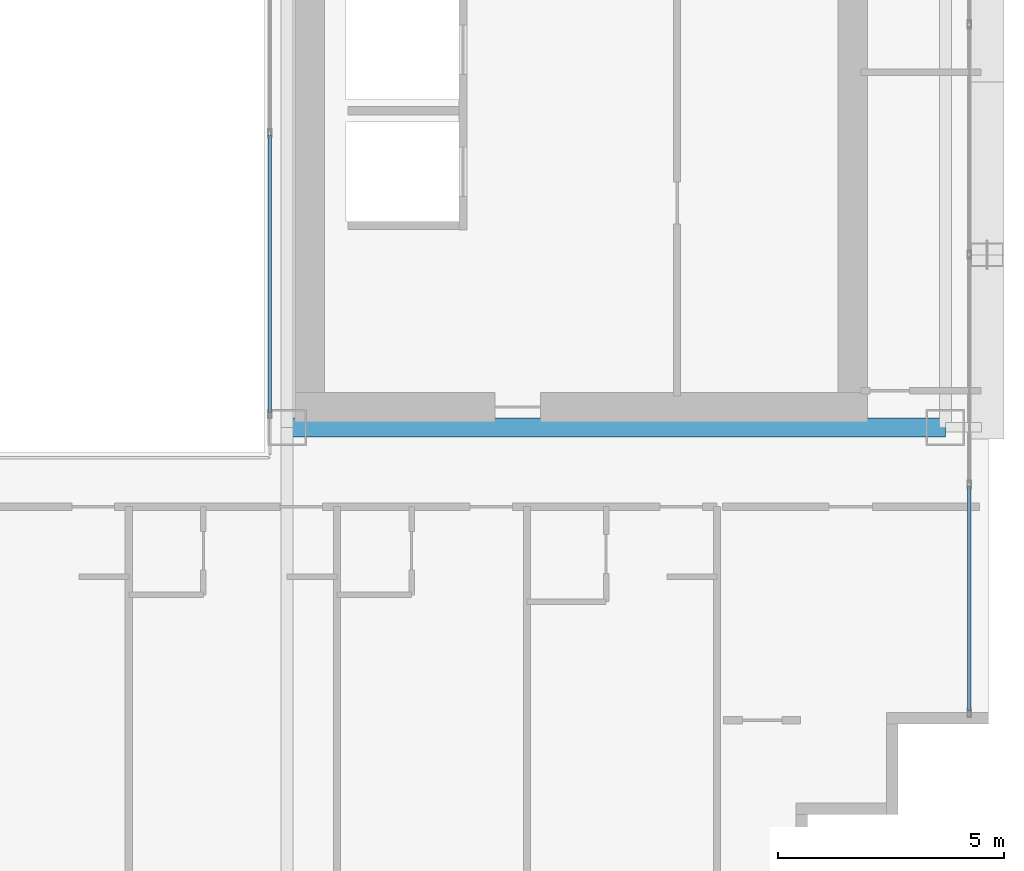
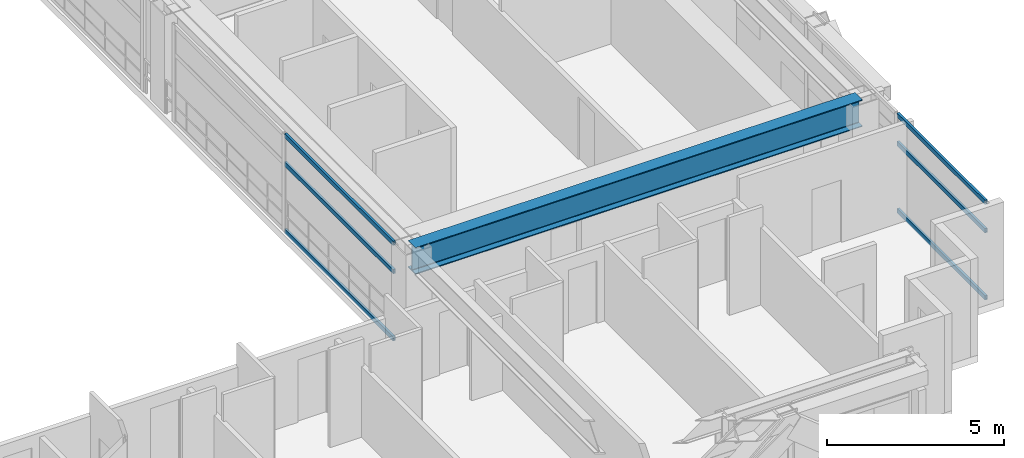
# One storey, part 13 of 39: 6 members, 1 beam, 2 elements without a shape of their own.
"""IFC4 building model written with IfcOpenShell, lengths in metres."""

from ifc_helpers import new_model, si_unit, direction, frame, origin, origin_2d, place, context, subcontext, project, spatial, hollow_rectangle, i_section, extrude, source, transform, mapped, material, layer, layer_set, material_profile, profile_set, type_object, element, aggregate, save


model = new_model("IFC4")

# Units and contexts
model_context = context("Model", 3, precision=1e-05, world=origin(), true_north=direction((0.0, 1.0)))
body_context = subcontext(model_context, "Body", "Model", "MODEL_VIEW")
ifc_project = project(units=[si_unit("LENGTHUNIT", "METRE"), si_unit("AREAUNIT", "SQUARE_METRE"), si_unit("VOLUMEUNIT", "CUBIC_METRE"), si_unit("PLANEANGLEUNIT", "RADIAN"), si_unit("MASSUNIT", "GRAM", prefix="KILO")], contexts=[model_context])

# Site, building, storey
site_placement = place(None, origin())
site = spatial("IfcSite", under=ifc_project, at=site_placement, CompositionType="ELEMENT")
building_placement = place(site_placement, origin())
building = spatial("IfcBuilding", under=site, at=building_placement, Name="Ocotamira Hotel", CompositionType="ELEMENT")
storey_placement = place(building_placement, frame((0.0, 0.0, 104.39990234375)))
storey = spatial("IfcBuildingStorey", under=building, at=storey_placement, Name="L25", CompositionType="ELEMENT", Elevation=104.39990234375)

# Beam
ifc_material_1 = material(Name="Steel ASTM A992 Grade 50", Category="steel")
ifc_material_profile_1 = material_profile(ifc_material_1, i_section(OverallWidth=0.41796875, OverallDepth=0.927001953125, WebThickness=0.019287109375, FlangeThickness=0.031982421875, FilletRadius=0.02392578125, at=origin_2d()), Name="W36X231")
ifc_profile_set_1 = profile_set([ifc_material_profile_1], Name="Steel ASTM A992 Grade 50")
beam_type = type_object("IfcBeamType", Name="BM-GIRD-W36X231", PredefinedType="BEAM", material=ifc_profile_set_1)
shared_shape_1 = source(origin(), body_context, "Body", "SweptSolid", [
    extrude(i_section(OverallWidth=0.41796875, OverallDepth=0.927001953125, WebThickness=0.019287109375, FlangeThickness=0.031982421875, FilletRadius=0.02392578125, at=origin_2d()), origin(), (0.0, 0.0, 1.0), 14.550048828125),
])
beam_placement = place(storey_placement, frame((40.5, 14.550048828125, 2.896484375), z_axis=(1.0, 0.0, 0.0), x_axis=(0.0, 1.0, 0.0)))
element("IfcBeam", 1, at=beam_placement, inside=storey, type_object=beam_type, Name="L25 Girder Y14.55 X40.5-55.05", PredefinedType="BEAM", context=body_context, shape_type="MappedRepresentation", body=[
    mapped(shared_shape_1, transform((0.0, 0.0, 0.0), scale=1.0)),
])

# Curtain wall, members
ifc_material_2 = material(Name="Anodised pale-metal aluminium and solar glass", Category="aluminium")
ifc_layer_1 = layer(ifc_material_2, 0.179931640625)
ifc_layer_set_1 = layer_set([ifc_layer_1], Name="Anodised pale-metal aluminium and solar glass")
curtain_wall_type_1 = type_object("IfcCurtainWallType", Name="CW-SYS3-Z2", PredefinedType="NOTDEFINED", material=ifc_layer_set_1)
curtain_wall_1_placement = place(storey_placement, origin())
curtain_wall_1 = element("IfcCurtainWall", 2, at=curtain_wall_1_placement, inside=storey, type_object=curtain_wall_type_1, Name="L25 Curtain Wall CW-3 CW-L25-E", PredefinedType="NOTDEFINED")
ifc_material_3 = material(Name="Anodised pale-metal aluminium 6063-T6", Category="aluminium")
ifc_material_profile_2 = material_profile(ifc_material_3, hollow_rectangle(XDim=0.074951171875, YDim=0.14990234375, WallThickness=0.006103515625, at=origin_2d()), Name="HSS150X75X6")
ifc_profile_set_2 = profile_set([ifc_material_profile_2], Name="Anodised pale-metal aluminium 6063-T6")
member_type = type_object("IfcMemberType", Name="CWT-150X75", PredefinedType="USERDEFINED", material=ifc_profile_set_2)
shared_shape_2 = source(origin(), body_context, "Body", "SweptSolid", [
    extrude(hollow_rectangle(XDim=0.074951171875, YDim=0.14990234375, WallThickness=0.006103515625, at=origin_2d()), origin(), (0.0, 0.0, 1.0), 4.965576171875),
])
member_1_placement = place(storey_placement, frame((55.580078125, 8.280029296875, 0.03759765625), z_axis=(0.0, 1.0, 0.0), x_axis=(-1.0, 0.0, 0.0)))
member_1 = element("IfcMember", 3, at=member_1_placement, type_object=member_type, Name="CW-3 transom 1.1", ObjectType="TRANSOM", PredefinedType="USERDEFINED", context=body_context, shape_type="MappedRepresentation", body=[
    mapped(shared_shape_2, transform((0.0, 0.0, 0.0), scale=1.0)),
])
member_2_placement = place(storey_placement, frame((55.580078125, 8.280029296875, 2.35009765625), z_axis=(0.0, 1.0, 0.0), x_axis=(-1.0, 0.0, 0.0)))
member_2 = element("IfcMember", 4, at=member_2_placement, type_object=member_type, Name="CW-3 transom 1.2", ObjectType="TRANSOM", PredefinedType="USERDEFINED", context=body_context, shape_type="MappedRepresentation", body=[
    mapped(shared_shape_2, transform((0.0, 0.0, 0.0), scale=1.0)),
])
member_3_placement = place(storey_placement, frame((55.580078125, 8.280029296875, 3.322509765625), z_axis=(0.0, 1.0, 0.0), x_axis=(-1.0, 0.0, 0.0)))
member_3 = element("IfcMember", 5, at=member_3_placement, type_object=member_type, Name="CW-3 transom 1.3", ObjectType="TRANSOM", PredefinedType="USERDEFINED", context=body_context, shape_type="MappedRepresentation", body=[
    mapped(shared_shape_2, transform((0.0, 0.0, 0.0), scale=1.0)),
])
aggregate(curtain_wall_1, [member_1, member_2, member_3])

ifc_layer_2 = layer(ifc_material_2, 0.159912109375)
ifc_layer_set_2 = layer_set([ifc_layer_2], Name="Anodised pale-metal aluminium and solar glass")
curtain_wall_type_2 = type_object("IfcCurtainWallType", Name="CW-SYS6-ATR", PredefinedType="NOTDEFINED", material=ifc_layer_set_2)
curtain_wall_2_placement = place(storey_placement, origin())
curtain_wall_2 = element("IfcCurtainWall", 6, at=curtain_wall_2_placement, inside=storey, type_object=curtain_wall_type_2, Name="L25 Curtain Wall CW-6 CW-L25-ATRE1", PredefinedType="NOTDEFINED")
shared_shape_3 = source(origin(), body_context, "Body", "SweptSolid", [
    extrude(hollow_rectangle(XDim=0.074951171875, YDim=0.14990234375, WallThickness=0.006103515625, at=origin_2d()), origin(), (0.0, 0.0, 1.0), 6.130126953125),
])
member_4_placement = place(storey_placement, frame((40.1201171875, 14.8798828125, 0.03759765625), z_axis=(0.0, 1.0, 0.0), x_axis=(-1.0, 0.0, 0.0)))
member_4 = element("IfcMember", 7, at=member_4_placement, type_object=member_type, Name="CW-6 transom 1.1", ObjectType="TRANSOM", PredefinedType="USERDEFINED", context=body_context, shape_type="MappedRepresentation", body=[
    mapped(shared_shape_3, transform((0.0, 0.0, 0.0), scale=1.0)),
])
member_5_placement = place(storey_placement, frame((40.1201171875, 14.8798828125, 2.35009765625), z_axis=(0.0, 1.0, 0.0), x_axis=(-1.0, 0.0, 0.0)))
member_5 = element("IfcMember", 8, at=member_5_placement, type_object=member_type, Name="CW-6 transom 1.2", ObjectType="TRANSOM", PredefinedType="USERDEFINED", context=body_context, shape_type="MappedRepresentation", body=[
    mapped(shared_shape_3, transform((0.0, 0.0, 0.0), scale=1.0)),
])
member_6_placement = place(storey_placement, frame((40.1201171875, 14.8798828125, 3.322509765625), z_axis=(0.0, 1.0, 0.0), x_axis=(-1.0, 0.0, 0.0)))
member_6 = element("IfcMember", 9, at=member_6_placement, type_object=member_type, Name="CW-6 transom 1.3", ObjectType="TRANSOM", PredefinedType="USERDEFINED", context=body_context, shape_type="MappedRepresentation", body=[
    mapped(shared_shape_3, transform((0.0, 0.0, 0.0), scale=1.0)),
])
aggregate(curtain_wall_2, [member_4, member_5, member_6])

save(model, "model.ifc")
